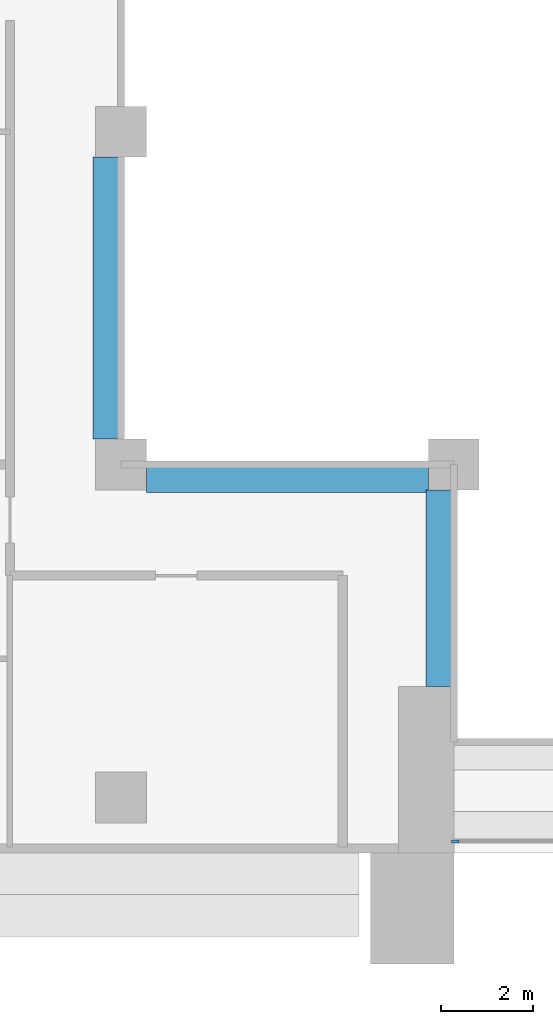
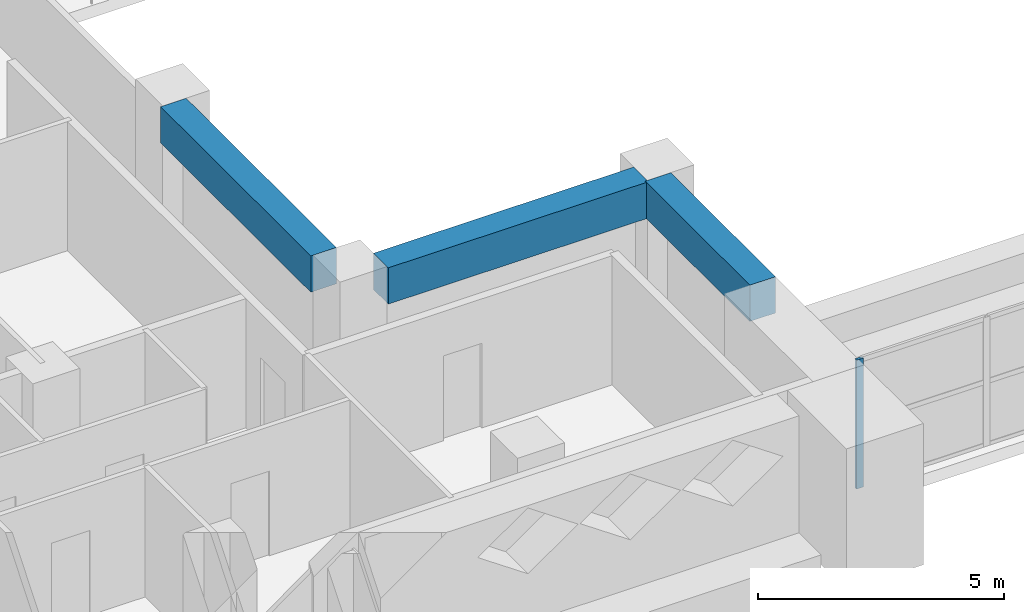
# One storey, part 2 of 19: 3 beams, 1 member, 1 element without a shape of its own.
"""IFC4 building model written with IfcOpenShell, lengths in metres."""

from ifc_helpers import new_model, si_unit, direction, frame, origin, origin_2d, place, context, subcontext, project, spatial, rectangle, extrude, source, transform, mapped, material, layer, layer_set, material_profile, profile_set, type_object, element, aggregate, save


model = new_model("IFC4")

# Units and contexts
model_context = context("Model", 3, precision=1e-05, world=origin(), true_north=direction((0.0, 1.0)))
body_context = subcontext(model_context, "Body", "Model", "MODEL_VIEW")
ifc_project = project(units=[si_unit("LENGTHUNIT", "METRE"), si_unit("AREAUNIT", "SQUARE_METRE"), si_unit("VOLUMEUNIT", "CUBIC_METRE"), si_unit("PLANEANGLEUNIT", "RADIAN"), si_unit("MASSUNIT", "GRAM", prefix="KILO")], contexts=[model_context])

# Site, building, storey
site_placement = place(None, origin())
site = spatial("IfcSite", under=ifc_project, at=site_placement, CompositionType="ELEMENT")
building_placement = place(site_placement, origin())
building = spatial("IfcBuilding", under=site, at=building_placement, Name="Saffron Iwan Residences", CompositionType="ELEMENT")
storey_placement = place(building_placement, frame((0.0, 0.0, 120.0)))
storey = spatial("IfcBuildingStorey", under=building, at=storey_placement, Name="L31", CompositionType="ELEMENT", Elevation=120.0)

# Beams
ifc_material_1 = material(Name="Concrete C50/60", Category="concrete")
ifc_material_profile_1 = material_profile(ifc_material_1, rectangle(XDim=0.60009765625, YDim=0.89990234375, at=origin_2d()), Name="RC 600x900")
ifc_profile_set_1 = profile_set([ifc_material_profile_1], Name="Concrete C50/60")
beam_type = type_object("IfcBeamType", Name="BEAM RC 600x900 C50/60 TOP 3200", PredefinedType="BEAM", material=ifc_profile_set_1)
shared_shape_1 = source(origin(), body_context, "Body", "SweptSolid", [
    extrude(rectangle(XDim=0.60009765625, YDim=0.89990234375, at=origin_2d()), origin(), (0.0, 0.0, 1.0), 4.25),
])
beam_placement = place(storey_placement, frame((42.89990234375, 43.199951171875, 2.75), z_axis=(0.0, 1.0, 0.0), x_axis=(-1.0, 0.0, 0.0)))
element("IfcBeam", 1, at=beam_placement, inside=storey, type_object=beam_type, Name="Atrium edge beam", PredefinedType="BEAM", context=body_context, shape_type="MappedRepresentation", body=[
    mapped(shared_shape_1, transform((0.0, 0.0, 0.0))),
])
shared_shape_2 = source(origin(), body_context, "Body", "SweptSolid", [
    extrude(rectangle(XDim=0.60009765625, YDim=0.89990234375, at=origin_2d()), origin(), (0.0, 0.0, 1.0), 6.099853515625),
])
for number, where, z_axis, x_axis, name in (
    (2, (42.64990234375, 47.699951171875, 2.75), (-1.0, 0.0, 0.0), (0.0, -1.0, 0.0), "Atrium edge beam"),
    (3, (35.699951171875, 48.550048828125, 2.75), (0.0, 1.0, 0.0), (-1.0, 0.0, 0.0), "Atrium edge beam"),
):
    element("IfcBeam", number, at=place(storey_placement, frame(where, z_axis=z_axis, x_axis=x_axis)), inside=storey, type_object=beam_type, Name=name, PredefinedType="BEAM", context=body_context, shape_type="MappedRepresentation", body=[
        mapped(shared_shape_2, transform((0.0, 0.0, 0.0))),
    ])

# Curtain wall, member
ifc_material_2 = material(Name="Clear glass, laminated double glazed", Category="glass")
ifc_layer = layer(ifc_material_2, 0.199951171875)
ifc_layer_set = layer_set([ifc_layer], Name="Clear glass, laminated double glazed")
curtain_wall_type = type_object("IfcCurtainWallType", Name="CW-B IWAN PORTAL", PredefinedType="NOTDEFINED", material=ifc_layer_set)
curtain_wall_placement = place(storey_placement, origin())
curtain_wall = element("IfcCurtainWall", 4, at=curtain_wall_placement, inside=storey, type_object=curtain_wall_type, Name="Iwan portal glazing L31.1", PredefinedType="NOTDEFINED")
ifc_material_3 = material(Name="Aluminium 6063-T6", Category="aluminium")
ifc_material_profile_2 = material_profile(ifc_material_3, rectangle(XDim=0.06005859375, YDim=0.159912109375, at=origin_2d()), Name="CW-B MULLION 60 x 160")
ifc_profile_set_2 = profile_set([ifc_material_profile_2], Name="Aluminium 6063-T6")
member_type = type_object("IfcMemberType", Name="CW-B MULLION 60 x 160", PredefinedType="MULLION", material=ifc_profile_set_2)
shared_shape_3 = source(origin(), body_context, "Body", "SweptSolid", [
    extrude(rectangle(XDim=0.06005859375, YDim=0.159912109375, at=origin_2d()), origin(), (0.0, 0.0, 1.0), 3.199951171875),
])
member_placement = place(storey_placement, frame((43.22998046875, 39.85009765625, 0.0), z_axis=(0.0, 0.0, 1.0), x_axis=(0.0, 1.0, 0.0)))
member = element("IfcMember", 5, at=member_placement, type_object=member_type, Name="CW-B mullion 1", PredefinedType="MULLION", context=body_context, shape_type="MappedRepresentation", body=[
    mapped(shared_shape_3, transform((0.0, 0.0, 0.0))),
])
aggregate(curtain_wall, [member])

save(model, "model.ifc")
